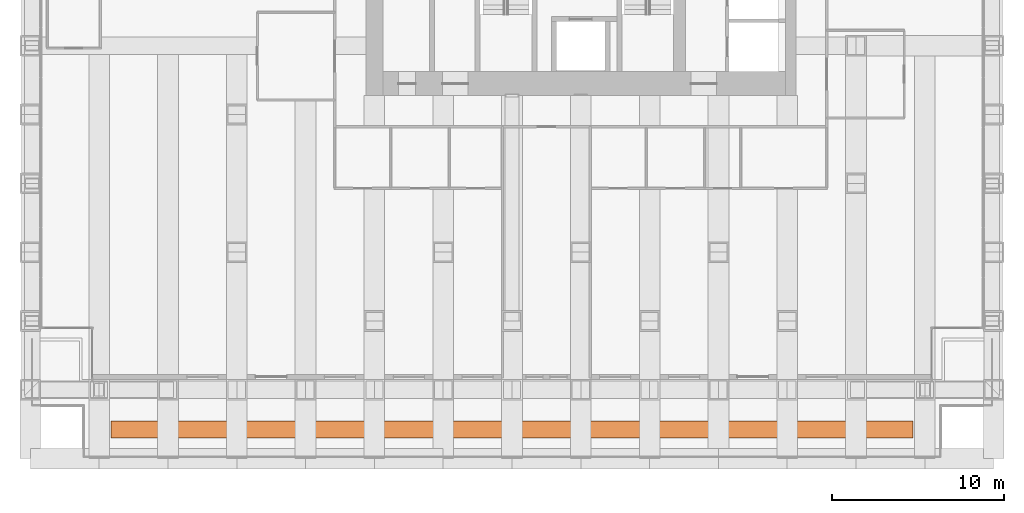
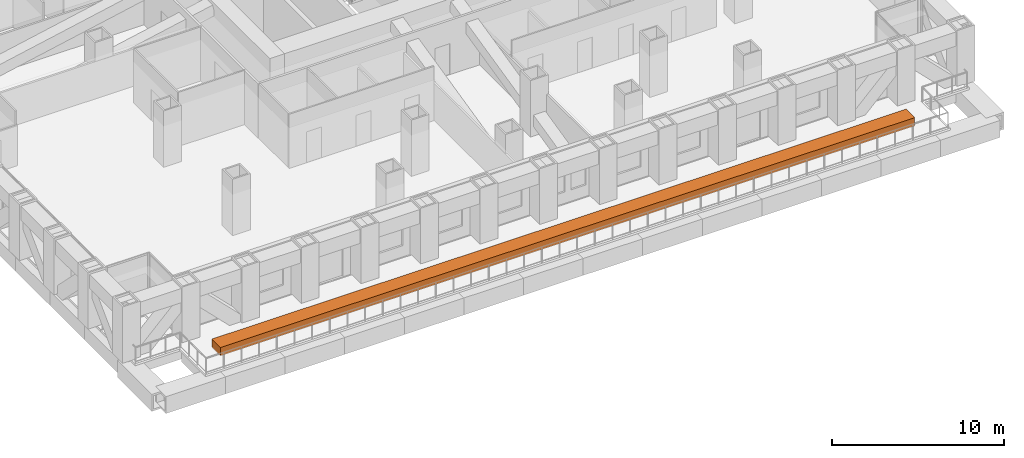
# One storey, part 18 of 18: 1 proxy.
"""IFC4 building model written with IfcOpenShell, lengths in metres."""

import ifcopenshell
import ifcopenshell.guid

model = None  # the IFC model being written
_history = None  # IfcOwnerHistory: only IFC2X3 demands one
_inside = {}  # id of a spatial element -> (the spatial element, [elements in it])
_under = {}  # id of a project, library or spatial element -> (it, [spatial elements below it])
_declared = {}  # id of a project -> (the project, [libraries it declares])
_typed = {}  # id of a type object -> (the type object, [elements of that type])
_made_of = {}  # id of a material, layer set ... -> (it, [elements and type objects made of it])


def new_model(schema):
    """Start an empty IFC model of exactly this schema.

    Asked for "IFC4X3", IfcOpenShell would pick the latest addendum, in which some entities
    have other attributes; the version numbers below select the first issue.
    IFC2X3 requires an IfcOwnerHistory on every rooted entity: one is made here for all.
    """
    global model, _history
    if schema == "IFC4X3":
        model = ifcopenshell.file(schema_version=(4, 3, 0, 0))
    else:
        model = ifcopenshell.file(schema=schema)
    _inside.clear()
    _under.clear()
    _declared.clear()
    _typed.clear()
    _made_of.clear()
    _history = None
    if model.schema == "IFC2X3":
        org = make("IfcOrganization", Name="unknown")
        user = make(
            "IfcPersonAndOrganization",
            ThePerson=make("IfcPerson", FamilyName="unknown"),
            TheOrganization=org,
        )
        app = make(
            "IfcApplication",
            ApplicationDeveloper=org,
            Version="unknown",
            ApplicationFullName="unknown",
            ApplicationIdentifier="unknown",
        )
        _history = make(
            "IfcOwnerHistory",
            OwningUser=user,
            OwningApplication=app,
            ChangeAction="ADDED",
            CreationDate=0,
        )
    return model


def make(cls, **values):
    """One entity of the class cls with the attributes given. An attribute that is None is left unset."""
    return model.create_entity(
        cls, **{name: value for name, value in values.items() if value is not None}
    )


def rooted(cls, **values):
    """An entity with a GlobalId (a new one), such as an element, a storey or a relation."""
    return make(cls, GlobalId=ifcopenshell.guid.new(), OwnerHistory=_history, **values)


def si_unit(unit_type, name, prefix=None):
    """IfcSIUnit, for example si_unit("LENGTHUNIT", "METRE", prefix="MILLI")."""
    return make("IfcSIUnit", UnitType=unit_type, Prefix=prefix, Name=name)


def assignment(units):
    """IfcUnitAssignment: the units of a project."""
    return None if units is None else make("IfcUnitAssignment", Units=units)


def point(xyz):
    """IfcCartesianPoint."""
    return None if xyz is None else make("IfcCartesianPoint", Coordinates=xyz)


def direction(xyz):
    """IfcDirection."""
    return None if xyz is None else make("IfcDirection", DirectionRatios=xyz)


def frame(location, z_axis=None, x_axis=None):
    """IfcAxis2Placement3D, a coordinate frame: its origin and axes. An axis left out is left unset."""
    return make(
        "IfcAxis2Placement3D",
        Location=point(location),
        Axis=direction(z_axis),
        RefDirection=direction(x_axis),
    )


def frame_2d(location, x_axis=None):
    """IfcAxis2Placement2D, a coordinate frame in the plane: its origin and x axis."""
    return make(
        "IfcAxis2Placement2D", Location=point(location), RefDirection=direction(x_axis)
    )


def origin():
    """The frame at (0, 0, 0) with its axes left unset."""
    return frame((0.0, 0.0, 0.0))


def origin_2d():
    """The frame at (0, 0) in the plane with its x axis left unset."""
    return frame_2d((0.0, 0.0))


def place(relative_to, where):
    """IfcLocalPlacement: puts the frame where relative to a parent placement (None: the world)."""
    return make(
        "IfcLocalPlacement", PlacementRelTo=relative_to, RelativePlacement=where
    )


def context(
    kind, dimensions, precision=None, world=None, true_north=None, identifier=None
):
    """IfcGeometricRepresentationContext, for example the 3D "Model" context."""
    return make(
        "IfcGeometricRepresentationContext",
        ContextIdentifier=identifier,
        ContextType=kind,
        CoordinateSpaceDimension=dimensions,
        Precision=precision,
        WorldCoordinateSystem=world,
        TrueNorth=true_north,
    )


def subcontext(parent, identifier, kind, view, scale=None):
    """IfcGeometricRepresentationSubContext, for example "Body" below "Model"."""
    return make(
        "IfcGeometricRepresentationSubContext",
        ContextIdentifier=identifier,
        ContextType=kind,
        ParentContext=parent,
        TargetScale=scale,
        TargetView=view,
    )


def project(units=None, contexts=None):
    """IfcProject with its units and contexts."""
    return rooted(
        "IfcProject",
        Name="project",
        RepresentationContexts=contexts,
        UnitsInContext=assignment(units),
    )


def spatial(cls, under=None, at=None, **own):
    """A site, building, storey or space (cls), placed at a placement, below another one or the project."""
    s = rooted(cls, ObjectPlacement=at, **own)
    if under is not None:
        _under.setdefault(under.id(), (under, []))[1].append(s)
    return s


def profile(cls, at=None, kind="AREA", **sizes):
    """A parametric profile (cls). Its sizes go by their IFC names, for example OverallWidth=200.0."""
    return make(cls, ProfileType=kind, Position=at, **sizes)


def rectangle(**sizes):
    """IfcRectangleProfileDef."""
    return profile("IfcRectangleProfileDef", **sizes)


def extrude(swept, where, along, depth):
    """IfcExtrudedAreaSolid: the profile swept, set in the frame where, extruded along a direction by depth."""
    return make(
        "IfcExtrudedAreaSolid",
        SweptArea=swept,
        Position=where,
        ExtrudedDirection=direction(along),
        Depth=depth,
    )


def shape(context_of_items, identifier, shape_type, items):
    """IfcShapeRepresentation: the items that make up one representation, for example the "Body"."""
    return make(
        "IfcShapeRepresentation",
        ContextOfItems=context_of_items,
        RepresentationIdentifier=identifier,
        RepresentationType=shape_type,
        Items=items,
    )


def made_of(thing, what):
    """Note that an element or type object is made of a material, layer set ...; save() writes the relation."""
    if what is not None:
        _made_of.setdefault(what.id(), (what, []))[1].append(thing)
    return thing


def element(
    cls,
    number,
    at=None,
    inside=None,
    cuts=None,
    type_object=None,
    material=None,
    context=None,
    identifier="Body",
    shape_type=None,
    held_by="IfcProductDefinitionShape",
    body=None,
    shapes=None,
    **own,
):
    """One element of the class cls, such as IfcWall. Its Tag is "e" and its number.

    at: its placement. inside: the storey or other place that contains it. cuts: it is an
    opening in that element (IfcRelVoidsElement). A single representation is given by context,
    identifier, shape_type and body (its items); several are given by shapes. held_by: the class
    of the entity that holds the representations. save() writes the other relations.
    """
    e = rooted(cls, Tag="e%d" % number, ObjectPlacement=at, **own)
    if body is not None:
        shapes = [shape(context, identifier, shape_type, body)]
    if shapes is not None:
        e.Representation = make(held_by, Representations=shapes)
    if inside is not None:
        _inside.setdefault(inside.id(), (inside, []))[1].append(e)
    if cuts is not None:
        rooted(
            "IfcRelVoidsElement", RelatingBuildingElement=cuts, RelatedOpeningElement=e
        )
    if type_object is not None:
        _typed.setdefault(type_object.id(), (type_object, []))[1].append(e)
    return made_of(e, material)


def aggregate(whole, parts):
    """IfcRelAggregates: a whole, such as a stair, and the parts it consists of."""
    return rooted("IfcRelAggregates", RelatingObject=whole, RelatedObjects=parts)


def save(model, path):
    """Write the relations noted so far, then the file.

    IfcRelAggregates (storeys below a building ...), IfcRelContainedInSpatialStructure (elements
    in a storey), IfcRelDefinesByType, IfcRelAssociatesMaterial and IfcRelDeclares: one each for
    every whole, place, type object, material and project.
    """
    for whole, parts in _under.values():
        aggregate(whole, parts)
    for where, things in _inside.values():
        rooted(
            "IfcRelContainedInSpatialStructure",
            RelatedElements=things,
            RelatingStructure=where,
        )
    for kind, things in _typed.values():
        rooted("IfcRelDefinesByType", RelatedObjects=things, RelatingType=kind)
    for what, things in _made_of.values():
        rooted("IfcRelAssociatesMaterial", RelatedObjects=things, RelatingMaterial=what)
    for by, libraries in _declared.values():
        rooted("IfcRelDeclares", RelatingContext=by, RelatedDefinitions=libraries)
    model.write(path)


model = new_model("IFC4")

# Units and contexts
model_context = context("Model", 3, precision=1e-05, world=origin(), true_north=direction((0.0, 1.0)))
body_context = subcontext(model_context, "Body", "Model", "MODEL_VIEW")
ifc_project = project(units=[si_unit("LENGTHUNIT", "METRE"), si_unit("AREAUNIT", "SQUARE_METRE"), si_unit("VOLUMEUNIT", "CUBIC_METRE"), si_unit("PLANEANGLEUNIT", "RADIAN"), si_unit("MASSUNIT", "GRAM", prefix="KILO")], contexts=[model_context])

# Site, building, storey
site_placement = place(None, origin())
site = spatial("IfcSite", under=ifc_project, at=site_placement, CompositionType="ELEMENT")
building_placement = place(site_placement, origin())
building = spatial("IfcBuilding", under=site, at=building_placement, Name="Rimbunsela Tower", CompositionType="ELEMENT")
storey_placement = place(building_placement, frame((0.0, 0.0, 43.0)))
storey = spatial("IfcBuildingStorey", under=building, at=storey_placement, Name="L10", CompositionType="ELEMENT", Elevation=43.0)

# Proxy
proxy_placement = place(storey_placement, frame((26.0, -2.300048828125, 0.0), z_axis=(0.0, 0.0, 1.0), x_axis=(1.0, 0.0, 0.0)))
element("IfcBuildingElementProxy", 1, at=proxy_placement, inside=storey, Name="Terrace planter L10", ObjectType="PLANTER", PredefinedType="USERDEFINED", context=body_context, shape_type="SweptSolid", body=[
    extrude(rectangle(XDim=46.60009765625, YDim=1.0, at=origin_2d()), origin(), (0.0, 0.0, 1.0), 0.60009765625),
])

save(model, "model.ifc")
